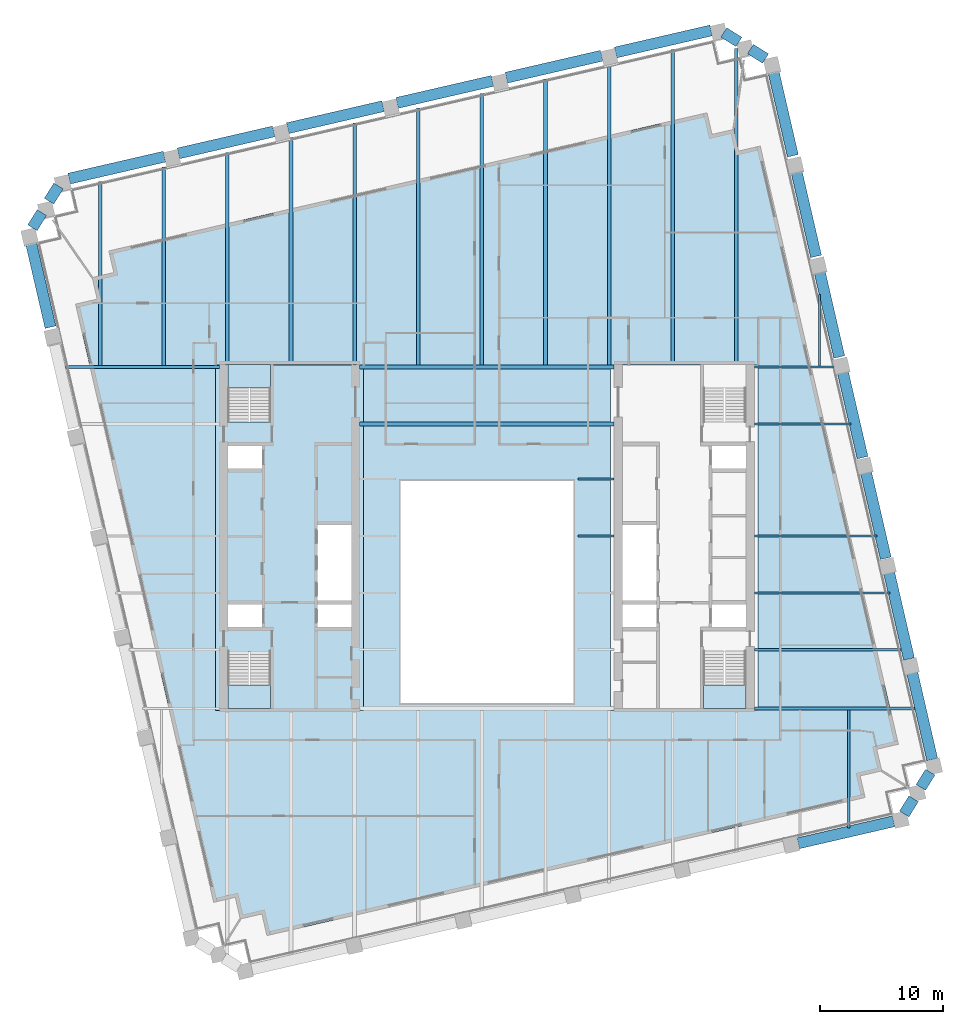
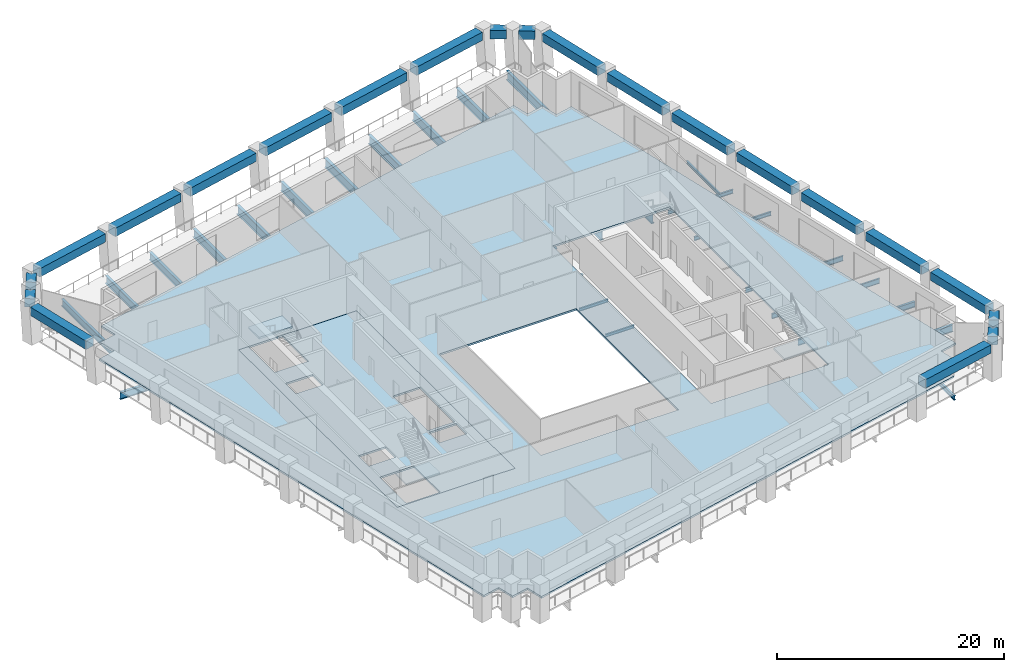
# One storey, part 2 of 11: 45 beams, 5 slabs, 3 elements without a shape of their own.
"""IFC4 building model written with IfcOpenShell, lengths in metres."""

import ifcopenshell
import ifcopenshell.guid

model = None  # the IFC model being written
_history = None  # IfcOwnerHistory: only IFC2X3 demands one
_inside = {}  # id of a spatial element -> (the spatial element, [elements in it])
_under = {}  # id of a project, library or spatial element -> (it, [spatial elements below it])
_declared = {}  # id of a project -> (the project, [libraries it declares])
_typed = {}  # id of a type object -> (the type object, [elements of that type])
_made_of = {}  # id of a material, layer set ... -> (it, [elements and type objects made of it])


def new_model(schema):
    """Start an empty IFC model of exactly this schema.

    Asked for "IFC4X3", IfcOpenShell would pick the latest addendum, in which some entities
    have other attributes; the version numbers below select the first issue.
    IFC2X3 requires an IfcOwnerHistory on every rooted entity: one is made here for all.
    """
    global model, _history
    if schema == "IFC4X3":
        model = ifcopenshell.file(schema_version=(4, 3, 0, 0))
    else:
        model = ifcopenshell.file(schema=schema)
    _inside.clear()
    _under.clear()
    _declared.clear()
    _typed.clear()
    _made_of.clear()
    _history = None
    if model.schema == "IFC2X3":
        org = make("IfcOrganization", Name="unknown")
        user = make(
            "IfcPersonAndOrganization",
            ThePerson=make("IfcPerson", FamilyName="unknown"),
            TheOrganization=org,
        )
        app = make(
            "IfcApplication",
            ApplicationDeveloper=org,
            Version="unknown",
            ApplicationFullName="unknown",
            ApplicationIdentifier="unknown",
        )
        _history = make(
            "IfcOwnerHistory",
            OwningUser=user,
            OwningApplication=app,
            ChangeAction="ADDED",
            CreationDate=0,
        )
    return model


def make(cls, **values):
    """One entity of the class cls with the attributes given. An attribute that is None is left unset."""
    return model.create_entity(
        cls, **{name: value for name, value in values.items() if value is not None}
    )


def rooted(cls, **values):
    """An entity with a GlobalId (a new one), such as an element, a storey or a relation."""
    return make(cls, GlobalId=ifcopenshell.guid.new(), OwnerHistory=_history, **values)


def si_unit(unit_type, name, prefix=None):
    """IfcSIUnit, for example si_unit("LENGTHUNIT", "METRE", prefix="MILLI")."""
    return make("IfcSIUnit", UnitType=unit_type, Prefix=prefix, Name=name)


def assignment(units):
    """IfcUnitAssignment: the units of a project."""
    return None if units is None else make("IfcUnitAssignment", Units=units)


def point(xyz):
    """IfcCartesianPoint."""
    return None if xyz is None else make("IfcCartesianPoint", Coordinates=xyz)


def direction(xyz):
    """IfcDirection."""
    return None if xyz is None else make("IfcDirection", DirectionRatios=xyz)


def frame(location, z_axis=None, x_axis=None):
    """IfcAxis2Placement3D, a coordinate frame: its origin and axes. An axis left out is left unset."""
    return make(
        "IfcAxis2Placement3D",
        Location=point(location),
        Axis=direction(z_axis),
        RefDirection=direction(x_axis),
    )


def frame_2d(location, x_axis=None):
    """IfcAxis2Placement2D, a coordinate frame in the plane: its origin and x axis."""
    return make(
        "IfcAxis2Placement2D", Location=point(location), RefDirection=direction(x_axis)
    )


def origin():
    """The frame at (0, 0, 0) with its axes left unset."""
    return frame((0.0, 0.0, 0.0))


def origin_2d():
    """The frame at (0, 0) in the plane with its x axis left unset."""
    return frame_2d((0.0, 0.0))


def place(relative_to, where):
    """IfcLocalPlacement: puts the frame where relative to a parent placement (None: the world)."""
    return make(
        "IfcLocalPlacement", PlacementRelTo=relative_to, RelativePlacement=where
    )


def context(
    kind, dimensions, precision=None, world=None, true_north=None, identifier=None
):
    """IfcGeometricRepresentationContext, for example the 3D "Model" context."""
    return make(
        "IfcGeometricRepresentationContext",
        ContextIdentifier=identifier,
        ContextType=kind,
        CoordinateSpaceDimension=dimensions,
        Precision=precision,
        WorldCoordinateSystem=world,
        TrueNorth=true_north,
    )


def subcontext(parent, identifier, kind, view, scale=None):
    """IfcGeometricRepresentationSubContext, for example "Body" below "Model"."""
    return make(
        "IfcGeometricRepresentationSubContext",
        ContextIdentifier=identifier,
        ContextType=kind,
        ParentContext=parent,
        TargetScale=scale,
        TargetView=view,
    )


def project(units=None, contexts=None):
    """IfcProject with its units and contexts."""
    return rooted(
        "IfcProject",
        Name="project",
        RepresentationContexts=contexts,
        UnitsInContext=assignment(units),
    )


def spatial(cls, under=None, at=None, **own):
    """A site, building, storey or space (cls), placed at a placement, below another one or the project."""
    s = rooted(cls, ObjectPlacement=at, **own)
    if under is not None:
        _under.setdefault(under.id(), (under, []))[1].append(s)
    return s


def polyline(points):
    """IfcPolyline through the points."""
    return make("IfcPolyline", Points=[point(p) for p in points])


def profile(cls, at=None, kind="AREA", **sizes):
    """A parametric profile (cls). Its sizes go by their IFC names, for example OverallWidth=200.0."""
    return make(cls, ProfileType=kind, Position=at, **sizes)


def rectangle(**sizes):
    """IfcRectangleProfileDef."""
    return profile("IfcRectangleProfileDef", **sizes)


def i_section(**sizes):
    """IfcIShapeProfileDef."""
    return profile("IfcIShapeProfileDef", **sizes)


def outline(outer, holes=None, kind="AREA"):
    """IfcArbitraryClosedProfileDef: a profile drawn as a closed curve; with holes, ...WithVoids."""
    if holes is None:
        return make("IfcArbitraryClosedProfileDef", ProfileType=kind, OuterCurve=outer)
    return make(
        "IfcArbitraryProfileDefWithVoids",
        ProfileType=kind,
        OuterCurve=outer,
        InnerCurves=holes,
    )


def extrude(swept, where, along, depth):
    """IfcExtrudedAreaSolid: the profile swept, set in the frame where, extruded along a direction by depth."""
    return make(
        "IfcExtrudedAreaSolid",
        SweptArea=swept,
        Position=where,
        ExtrudedDirection=direction(along),
        Depth=depth,
    )


def shape(context_of_items, identifier, shape_type, items):
    """IfcShapeRepresentation: the items that make up one representation, for example the "Body"."""
    return make(
        "IfcShapeRepresentation",
        ContextOfItems=context_of_items,
        RepresentationIdentifier=identifier,
        RepresentationType=shape_type,
        Items=items,
    )


def material(Name=None, Category=None):
    """IfcMaterial."""
    return make("IfcMaterial", Name=Name, Category=Category)


def layer(
    of_material, thickness, ventilated=None, Name=None, Category=None, Priority=None
):
    """IfcMaterialLayer: one layer of a wall or slab, of a material (None: an air gap)."""
    return make(
        "IfcMaterialLayer",
        Material=of_material,
        LayerThickness=thickness,
        IsVentilated=ventilated,
        Name=Name,
        Category=Category,
        Priority=Priority,
    )


def layer_set(layers, Name=None):
    """IfcMaterialLayerSet."""
    return make("IfcMaterialLayerSet", MaterialLayers=layers, LayerSetName=Name)


def material_profile(
    of_material, cross_section, Name=None, Category=None, Priority=None
):
    """IfcMaterialProfile: a cross section and its material."""
    return make(
        "IfcMaterialProfile",
        Name=Name,
        Material=of_material,
        Profile=cross_section,
        Priority=Priority,
        Category=Category,
    )


def profile_set(profiles, Name=None, composite=None):
    """IfcMaterialProfileSet."""
    return make(
        "IfcMaterialProfileSet",
        Name=Name,
        MaterialProfiles=profiles,
        CompositeProfile=composite,
    )


def made_of(thing, what):
    """Note that an element or type object is made of a material, layer set ...; save() writes the relation."""
    if what is not None:
        _made_of.setdefault(what.id(), (what, []))[1].append(thing)
    return thing


def type_object(cls, material=None, **own):
    """A type object (cls), such as IfcWallType, which elements share."""
    return made_of(rooted(cls, **own), material)


def element(
    cls,
    number,
    at=None,
    inside=None,
    cuts=None,
    type_object=None,
    material=None,
    context=None,
    identifier="Body",
    shape_type=None,
    held_by="IfcProductDefinitionShape",
    body=None,
    shapes=None,
    **own,
):
    """One element of the class cls, such as IfcWall. Its Tag is "e" and its number.

    at: its placement. inside: the storey or other place that contains it. cuts: it is an
    opening in that element (IfcRelVoidsElement). A single representation is given by context,
    identifier, shape_type and body (its items); several are given by shapes. held_by: the class
    of the entity that holds the representations. save() writes the other relations.
    """
    e = rooted(cls, Tag="e%d" % number, ObjectPlacement=at, **own)
    if body is not None:
        shapes = [shape(context, identifier, shape_type, body)]
    if shapes is not None:
        e.Representation = make(held_by, Representations=shapes)
    if inside is not None:
        _inside.setdefault(inside.id(), (inside, []))[1].append(e)
    if cuts is not None:
        rooted(
            "IfcRelVoidsElement", RelatingBuildingElement=cuts, RelatedOpeningElement=e
        )
    if type_object is not None:
        _typed.setdefault(type_object.id(), (type_object, []))[1].append(e)
    return made_of(e, material)


def aggregate(whole, parts):
    """IfcRelAggregates: a whole, such as a stair, and the parts it consists of."""
    return rooted("IfcRelAggregates", RelatingObject=whole, RelatedObjects=parts)


def save(model, path):
    """Write the relations noted so far, then the file.

    IfcRelAggregates (storeys below a building ...), IfcRelContainedInSpatialStructure (elements
    in a storey), IfcRelDefinesByType, IfcRelAssociatesMaterial and IfcRelDeclares: one each for
    every whole, place, type object, material and project.
    """
    for whole, parts in _under.values():
        aggregate(whole, parts)
    for where, things in _inside.values():
        rooted(
            "IfcRelContainedInSpatialStructure",
            RelatedElements=things,
            RelatingStructure=where,
        )
    for kind, things in _typed.values():
        rooted("IfcRelDefinesByType", RelatedObjects=things, RelatingType=kind)
    for what, things in _made_of.values():
        rooted("IfcRelAssociatesMaterial", RelatedObjects=things, RelatingMaterial=what)
    for by, libraries in _declared.values():
        rooted("IfcRelDeclares", RelatingContext=by, RelatedDefinitions=libraries)
    model.write(path)


model = new_model("IFC4")

# Units and contexts
model_context = context("Model", 3, precision=1e-05, world=origin(), true_north=direction((0.0, 1.0)))
body_context = subcontext(model_context, "Body", "Model", "MODEL_VIEW")
ifc_project = project(units=[si_unit("LENGTHUNIT", "METRE"), si_unit("AREAUNIT", "SQUARE_METRE"), si_unit("VOLUMEUNIT", "CUBIC_METRE"), si_unit("PLANEANGLEUNIT", "RADIAN"), si_unit("MASSUNIT", "GRAM", prefix="KILO")], contexts=[model_context])

# Site, building, storey
site_placement = place(None, origin())
site = spatial("IfcSite", under=ifc_project, at=site_placement, CompositionType="ELEMENT")
building_placement = place(site_placement, origin())
building = spatial("IfcBuilding", under=site, at=building_placement, Name="Ogive Exchange Tower", CompositionType="ELEMENT")
storey_placement = place(building_placement, frame((0.0, 0.0, 209.39990234375)))
storey = spatial("IfcBuildingStorey", under=building, at=storey_placement, Name="L46", CompositionType="ELEMENT", Elevation=209.39990234375)

# Beams
ifc_material_1 = material(Name="Steel ASTM A992 Gr50", Category="steel")
ifc_material_profile_1 = material_profile(ifc_material_1, i_section(OverallWidth=0.300048828125, OverallDepth=0.969970703125, WebThickness=0.01611328125, FlangeThickness=0.02099609375, at=origin_2d()), Name="W1000x222")
ifc_profile_set_1 = profile_set([ifc_material_profile_1], Name="Steel ASTM A992 Gr50")
beam_type_1 = type_object("IfcBeamType", Name="Floor beam W1000x222", PredefinedType="JOIST", material=ifc_profile_set_1)
beam_1_placement = place(storey_placement, frame((-10.735107421875, 25.39990234375, -0.684814453125), z_axis=(0.0, 1.0, 0.0), x_axis=(-1.0, 0.0, 0.0)))
element("IfcBeam", 1, at=beam_1_placement, inside=storey, type_object=beam_type_1, Name="Floor beam", PredefinedType="JOIST", context=body_context, shape_type="SweptSolid", body=[
    extrude(i_section(OverallWidth=0.300048828125, OverallDepth=0.969970703125, WebThickness=0.01611328125, FlangeThickness=0.02099609375, at=origin_2d()), origin(), (0.0, 0.0, 1.0), 19.650146484375),
])
ifc_material_profile_2 = material_profile(ifc_material_1, i_section(OverallWidth=0.300048828125, OverallDepth=0.97998046875, WebThickness=0.0166015625, FlangeThickness=0.026123046875, at=origin_2d()), Name="W1000x249")
ifc_profile_set_2 = profile_set([ifc_material_profile_2], Name="Steel ASTM A992 Gr50")
beam_type_2 = type_object("IfcBeamType", Name="Floor beam W1000x249", PredefinedType="JOIST", material=ifc_profile_set_2)
beam_2_placement = place(storey_placement, frame((-10.320068359375, 20.62255859375, -0.68994140625), z_axis=(1.0, 0.0, 0.0), x_axis=(0.0, 1.0, 0.0)))
element("IfcBeam", 2, at=beam_2_placement, inside=storey, type_object=beam_type_2, Name="Floor beam", PredefinedType="JOIST", context=body_context, shape_type="SweptSolid", body=[
    extrude(i_section(OverallWidth=0.300048828125, OverallDepth=0.97998046875, WebThickness=0.0166015625, FlangeThickness=0.026123046875, at=origin_2d()), origin(), (0.0, 0.0, 1.0), 20.64013671875),
])
beam_3_placement = place(storey_placement, frame((-5.574462890625, 25.39501953125, -0.68994140625), z_axis=(0.0, 1.0, 0.0), x_axis=(-1.0, 0.0, 0.0)))
element("IfcBeam", 3, at=beam_3_placement, inside=storey, type_object=beam_type_2, Name="Floor beam", PredefinedType="JOIST", context=body_context, shape_type="SweptSolid", body=[
    extrude(i_section(OverallWidth=0.300048828125, OverallDepth=0.97998046875, WebThickness=0.0166015625, FlangeThickness=0.026123046875, at=origin_2d()), origin(), (0.0, 0.0, 1.0), 20.846435546875),
])
beam_4_placement = place(storey_placement, frame((-0.4140625, 25.39501953125, -0.68994140625), z_axis=(0.0, 1.0, 0.0), x_axis=(-1.0, 0.0, 0.0)))
element("IfcBeam", 4, at=beam_4_placement, inside=storey, type_object=beam_type_2, Name="Floor beam", PredefinedType="JOIST", context=body_context, shape_type="SweptSolid", body=[
    extrude(i_section(OverallWidth=0.300048828125, OverallDepth=0.97998046875, WebThickness=0.0166015625, FlangeThickness=0.026123046875, at=origin_2d()), origin(), (0.0, 0.0, 1.0), 22.037841796875),
])
beam_5_placement = place(storey_placement, frame((4.74658203125, 25.39501953125, -0.68994140625), z_axis=(0.0, 1.0, 0.0), x_axis=(-1.0, 0.0, 0.0)))
element("IfcBeam", 5, at=beam_5_placement, inside=storey, type_object=beam_type_2, Name="Floor beam", PredefinedType="JOIST", context=body_context, shape_type="SweptSolid", body=[
    extrude(i_section(OverallWidth=0.300048828125, OverallDepth=0.97998046875, WebThickness=0.0166015625, FlangeThickness=0.026123046875, at=origin_2d()), origin(), (0.0, 0.0, 1.0), 23.229248046875),
])
beam_6_placement = place(storey_placement, frame((9.906982421875, 25.39501953125, -0.68994140625), z_axis=(0.0, 1.0, 0.0), x_axis=(-1.0, 0.0, 0.0)))
element("IfcBeam", 6, at=beam_6_placement, inside=storey, type_object=beam_type_2, Name="Floor beam", PredefinedType="JOIST", context=body_context, shape_type="SweptSolid", body=[
    extrude(i_section(OverallWidth=0.300048828125, OverallDepth=0.97998046875, WebThickness=0.0166015625, FlangeThickness=0.026123046875, at=origin_2d()), origin(), (0.0, 0.0, 1.0), 24.420654296875),
])
beam_7_placement = place(storey_placement, frame((15.0673828125, 25.39990234375, -0.68994140625), z_axis=(0.0, 1.0, 0.0), x_axis=(-1.0, 0.0, 0.0)))
element("IfcBeam", 7, at=beam_7_placement, inside=storey, type_object=beam_type_2, Name="Floor beam", PredefinedType="JOIST", context=body_context, shape_type="SweptSolid", body=[
    extrude(i_section(OverallWidth=0.300048828125, OverallDepth=0.97998046875, WebThickness=0.0166015625, FlangeThickness=0.026123046875, at=origin_2d()), origin(), (0.0, 0.0, 1.0), 25.607177734375),
])
beam_8_placement = place(storey_placement, frame((20.22802734375, 25.39990234375, -0.68994140625), z_axis=(0.0, 1.0, 0.0), x_axis=(-1.0, 0.0, 0.0)))
element("IfcBeam", 8, at=beam_8_placement, inside=storey, type_object=beam_type_2, Name="Floor beam", PredefinedType="JOIST", context=body_context, shape_type="SweptSolid", body=[
    extrude(i_section(OverallWidth=0.300048828125, OverallDepth=0.97998046875, WebThickness=0.0166015625, FlangeThickness=0.026123046875, at=origin_2d()), origin(), (0.0, 0.0, 1.0), 25.676025390625),
])
ifc_material_profile_3 = material_profile(ifc_material_1, i_section(OverallWidth=0.1650390625, OverallDepth=0.31005859375, WebThickness=0.005859375, FlangeThickness=0.009765625, at=origin_2d()), Name="W310x38.7")
ifc_profile_set_3 = profile_set([ifc_material_profile_3], Name="Steel ASTM A992 Gr50")
beam_type_3 = type_object("IfcBeamType", Name="Floor beam W310x38.7", PredefinedType="JOIST", material=ifc_profile_set_3)
beam_9_placement = place(storey_placement, frame((7.3701171875, 11.543701171875, -0.35498046875), z_axis=(1.0, 0.0, 0.0), x_axis=(0.0, 1.0, 0.0)))
element("IfcBeam", 9, at=beam_9_placement, inside=storey, type_object=beam_type_3, Name="Floor beam", PredefinedType="JOIST", context=body_context, shape_type="SweptSolid", body=[
    extrude(i_section(OverallWidth=0.1650390625, OverallDepth=0.31005859375, WebThickness=0.005859375, FlangeThickness=0.009765625, at=origin_2d()), origin(), (0.0, 0.0, 1.0), 2.949951171875),
])
beam_10_placement = place(storey_placement, frame((26.988525390625, 25.333984375, -0.35498046875), z_axis=(0.0, 1.0, 0.0), x_axis=(-1.0, 0.0, 0.0)))
element("IfcBeam", 10, at=beam_10_placement, inside=storey, type_object=beam_type_3, Name="Floor beam", PredefinedType="JOIST", context=body_context, shape_type="SweptSolid", body=[
    extrude(i_section(OverallWidth=0.1650390625, OverallDepth=0.31005859375, WebThickness=0.005859375, FlangeThickness=0.009765625, at=origin_2d()), origin(), (0.0, 0.0, 1.0), 5.77880859375),
])
ifc_material_profile_4 = material_profile(ifc_material_1, i_section(OverallWidth=0.177978515625, OverallDepth=0.406005859375, WebThickness=0.0078125, FlangeThickness=0.0126953125, at=origin_2d()), Name="W410x60")
ifc_profile_set_4 = profile_set([ifc_material_profile_4], Name="Steel ASTM A992 Gr50")
beam_type_4 = type_object("IfcBeamType", Name="Floor beam W410x60", PredefinedType="JOIST", material=ifc_profile_set_4)
beam_11_placement = place(storey_placement, frame((21.679931640625, 20.62255859375, -0.40283203125), z_axis=(1.0, 0.0, 0.0), x_axis=(0.0, 1.0, 0.0)))
element("IfcBeam", 11, at=beam_11_placement, inside=storey, type_object=beam_type_4, Name="Floor beam", PredefinedType="JOIST", context=body_context, shape_type="SweptSolid", body=[
    extrude(i_section(OverallWidth=0.177978515625, OverallDepth=0.406005859375, WebThickness=0.0078125, FlangeThickness=0.0126953125, at=origin_2d()), origin(), (0.0, 0.0, 1.0), 7.845703125),
])
ifc_material_profile_5 = material_profile(ifc_material_1, i_section(OverallWidth=0.19091796875, OverallDepth=0.45703125, WebThickness=0.009033203125, FlangeThickness=0.014404296875, at=origin_2d()), Name="W460x74")
ifc_profile_set_5 = profile_set([ifc_material_profile_5], Name="Steel ASTM A992 Gr50")
beam_type_5 = type_object("IfcBeamType", Name="Floor beam W460x74", PredefinedType="JOIST", material=ifc_profile_set_5)
beam_12_placement = place(storey_placement, frame((29.34912109375, -12.125244140625, -0.428466796875), z_axis=(0.0, 1.0, 0.0), x_axis=(-1.0, 0.0, 0.0)))
element("IfcBeam", 12, at=beam_12_placement, inside=storey, type_object=beam_type_5, Name="Floor beam", PredefinedType="JOIST", context=body_context, shape_type="SweptSolid", body=[
    extrude(i_section(OverallWidth=0.19091796875, OverallDepth=0.45703125, WebThickness=0.009033203125, FlangeThickness=0.014404296875, at=origin_2d()), origin(), (0.0, 0.0, 1.0), 9.546630859375),
])
ifc_material_profile_6 = material_profile(ifc_material_1, i_section(OverallWidth=0.1669921875, OverallDepth=0.535888671875, WebThickness=0.01025390625, FlangeThickness=0.0166015625, at=origin_2d()), Name="W530x85")
ifc_profile_set_6 = profile_set([ifc_material_profile_6], Name="Steel ASTM A992 Gr50")
beam_type_6 = type_object("IfcBeamType", Name="Floor beam W530x85", PredefinedType="JOIST", material=ifc_profile_set_6)
beam_13_placement = place(storey_placement, frame((21.679931640625, 6.9326171875, -0.468017578125), z_axis=(1.0, 0.0, 0.0), x_axis=(0.0, 1.0, 0.0)))
element("IfcBeam", 13, at=beam_13_placement, inside=storey, type_object=beam_type_6, Name="Floor beam", PredefinedType="JOIST", context=body_context, shape_type="SweptSolid", body=[
    extrude(i_section(OverallWidth=0.1669921875, OverallDepth=0.535888671875, WebThickness=0.01025390625, FlangeThickness=0.0166015625, at=origin_2d()), origin(), (0.0, 0.0, 1.0), 11.00634765625),
])
beam_14_placement = place(storey_placement, frame((21.679931640625, 11.543701171875, -0.468017578125), z_axis=(1.0, 0.0, 0.0), x_axis=(0.0, 1.0, 0.0)))
element("IfcBeam", 14, at=beam_14_placement, inside=storey, type_object=beam_type_6, Name="Floor beam", PredefinedType="JOIST", context=body_context, shape_type="SweptSolid", body=[
    extrude(i_section(OverallWidth=0.1669921875, OverallDepth=0.535888671875, WebThickness=0.01025390625, FlangeThickness=0.0166015625, at=origin_2d()), origin(), (0.0, 0.0, 1.0), 9.941650390625),
])
ifc_material_profile_7 = material_profile(ifc_material_1, i_section(OverallWidth=0.22802734375, OverallDepth=0.60205078125, WebThickness=0.010498046875, FlangeThickness=0.014892578125, at=origin_2d()), Name="W610x101")
ifc_profile_set_7 = profile_set([ifc_material_profile_7], Name="Steel ASTM A992 Gr50")
beam_type_7 = type_object("IfcBeamType", Name="Floor beam W610x101", PredefinedType="JOIST", material=ifc_profile_set_7)
beam_15_placement = place(storey_placement, frame((21.679931640625, 2.3212890625, -0.5009765625), z_axis=(1.0, 0.0, 0.0), x_axis=(0.0, 1.0, 0.0)))
element("IfcBeam", 15, at=beam_15_placement, inside=storey, type_object=beam_type_7, Name="Floor beam", PredefinedType="JOIST", context=body_context, shape_type="SweptSolid", body=[
    extrude(i_section(OverallWidth=0.22802734375, OverallDepth=0.60205078125, WebThickness=0.010498046875, FlangeThickness=0.014892578125, at=origin_2d()), origin(), (0.0, 0.0, 1.0), 11.9208984375),
])
ifc_material_profile_8 = material_profile(ifc_material_1, i_section(OverallWidth=0.26708984375, OverallDepth=0.75390625, WebThickness=0.01318359375, FlangeThickness=0.01708984375, at=origin_2d()), Name="W760x147")
ifc_profile_set_8 = profile_set([ifc_material_profile_8], Name="Steel ASTM A992 Gr50")
beam_type_8 = type_object("IfcBeamType", Name="Floor beam W760x147", PredefinedType="JOIST", material=ifc_profile_set_8)
beam_16_placement = place(storey_placement, frame((-31.376953125, 25.37841796875, -0.576904296875), z_axis=(0.0, 1.0, 0.0), x_axis=(-1.0, 0.0, 0.0)))
element("IfcBeam", 16, at=beam_16_placement, inside=storey, type_object=beam_type_8, Name="Floor beam", PredefinedType="JOIST", context=body_context, shape_type="SweptSolid", body=[
    extrude(i_section(OverallWidth=0.26708984375, OverallDepth=0.75390625, WebThickness=0.01318359375, FlangeThickness=0.01708984375, at=origin_2d()), origin(), (0.0, 0.0, 1.0), 14.906005859375),
])
ifc_material_profile_9 = material_profile(ifc_material_1, i_section(OverallWidth=0.2919921875, OverallDepth=0.8359375, WebThickness=0.013916015625, FlangeThickness=0.018798828125, at=origin_2d()), Name="W840x176")
ifc_profile_set_9 = profile_set([ifc_material_profile_9], Name="Steel ASTM A992 Gr50")
beam_type_9 = type_object("IfcBeamType", Name="Floor beam W840x176", PredefinedType="JOIST", material=ifc_profile_set_9)
beam_17_placement = place(storey_placement, frame((-26.216552734375, 25.37841796875, -0.617919921875), z_axis=(0.0, 1.0, 0.0), x_axis=(-1.0, 0.0, 0.0)))
element("IfcBeam", 17, at=beam_17_placement, inside=storey, type_object=beam_type_9, Name="Floor beam", PredefinedType="JOIST", context=body_context, shape_type="SweptSolid", body=[
    extrude(i_section(OverallWidth=0.2919921875, OverallDepth=0.8359375, WebThickness=0.013916015625, FlangeThickness=0.018798828125, at=origin_2d()), origin(), (0.0, 0.0, 1.0), 16.097412109375),
])
beam_18_placement = place(storey_placement, frame((-21.055908203125, 25.39990234375, -0.617919921875), z_axis=(0.0, 1.0, 0.0), x_axis=(-1.0, 0.0, 0.0)))
element("IfcBeam", 18, at=beam_18_placement, inside=storey, type_object=beam_type_9, Name="Floor beam", PredefinedType="JOIST", context=body_context, shape_type="SweptSolid", body=[
    extrude(i_section(OverallWidth=0.2919921875, OverallDepth=0.8359375, WebThickness=0.013916015625, FlangeThickness=0.018798828125, at=origin_2d()), origin(), (0.0, 0.0, 1.0), 17.267333984375),
])
ifc_material_profile_10 = material_profile(ifc_material_1, i_section(OverallWidth=0.304931640625, OverallDepth=0.904052734375, WebThickness=0.01513671875, FlangeThickness=0.02001953125, at=origin_2d()), Name="W920x201")
ifc_profile_set_10 = profile_set([ifc_material_profile_10], Name="Steel ASTM A992 Gr50")
beam_type_10 = type_object("IfcBeamType", Name="Floor beam W920x201", PredefinedType="JOIST", material=ifc_profile_set_10)
beam_19_placement = place(storey_placement, frame((-15.8955078125, 25.39990234375, -0.65185546875), z_axis=(0.0, 1.0, 0.0), x_axis=(-1.0, 0.0, 0.0)))
element("IfcBeam", 19, at=beam_19_placement, inside=storey, type_object=beam_type_10, Name="Floor beam", PredefinedType="JOIST", context=body_context, shape_type="SweptSolid", body=[
    extrude(i_section(OverallWidth=0.304931640625, OverallDepth=0.904052734375, WebThickness=0.01513671875, FlangeThickness=0.02001953125, at=origin_2d()), origin(), (0.0, 0.0, 1.0), 18.458740234375),
])
ifc_material_profile_11 = material_profile(ifc_material_1, i_section(OverallWidth=0.300048828125, OverallDepth=0.97998046875, WebThickness=0.0166015625, FlangeThickness=0.026123046875, at=origin_2d()), Name="W1000x249")
ifc_profile_set_11 = profile_set([ifc_material_profile_11], Name="Steel ASTM A992 Gr50")
beam_type_11 = type_object("IfcBeamType", Name="Girder W1000x249", PredefinedType="BEAM", material=ifc_profile_set_11)
beam_20_placement = place(storey_placement, frame((-10.320068359375, 25.2451171875, -0.68994140625), z_axis=(1.0, 0.0, 0.0), x_axis=(0.0, 1.0, 0.0)))
element("IfcBeam", 20, at=beam_20_placement, inside=storey, type_object=beam_type_11, Name="Header girder", PredefinedType="BEAM", context=body_context, shape_type="SweptSolid", body=[
    extrude(i_section(OverallWidth=0.300048828125, OverallDepth=0.97998046875, WebThickness=0.0166015625, FlangeThickness=0.026123046875, at=origin_2d()), origin(), (0.0, 0.0, 1.0), 20.64013671875),
])
ifc_material_profile_12 = material_profile(ifc_material_1, i_section(OverallWidth=0.1650390625, OverallDepth=0.31005859375, WebThickness=0.005859375, FlangeThickness=0.009765625, at=origin_2d()), Name="W310x38.7")
ifc_profile_set_12 = profile_set([ifc_material_profile_12], Name="Steel ASTM A992 Gr50")
beam_type_12 = type_object("IfcBeamType", Name="Girder W310x38.7", PredefinedType="BEAM", material=ifc_profile_set_12)
beam_21_placement = place(storey_placement, frame((7.3701171875, 16.155029296875, -0.35498046875), z_axis=(1.0, 0.0, 0.0), x_axis=(0.0, 1.0, 0.0)))
element("IfcBeam", 21, at=beam_21_placement, inside=storey, type_object=beam_type_12, Name="Trimmer girder", PredefinedType="BEAM", context=body_context, shape_type="SweptSolid", body=[
    extrude(i_section(OverallWidth=0.1650390625, OverallDepth=0.31005859375, WebThickness=0.005859375, FlangeThickness=0.009765625, at=origin_2d()), origin(), (0.0, 0.0, 1.0), 2.949951171875),
])
ifc_material_profile_13 = material_profile(ifc_material_1, i_section(OverallWidth=0.177978515625, OverallDepth=0.406005859375, WebThickness=0.0078125, FlangeThickness=0.0126953125, at=origin_2d()), Name="W410x60")
ifc_profile_set_13 = profile_set([ifc_material_profile_13], Name="Steel ASTM A992 Gr50")
beam_type_13 = type_object("IfcBeamType", Name="Girder W410x60", PredefinedType="BEAM", material=ifc_profile_set_13)
beam_22_placement = place(storey_placement, frame((21.679931640625, 25.2451171875, -0.40283203125), z_axis=(1.0, 0.0, 0.0), x_axis=(0.0, 1.0, 0.0)))
element("IfcBeam", 22, at=beam_22_placement, inside=storey, type_object=beam_type_13, Name="Header girder", PredefinedType="BEAM", context=body_context, shape_type="SweptSolid", body=[
    extrude(i_section(OverallWidth=0.177978515625, OverallDepth=0.406005859375, WebThickness=0.0078125, FlangeThickness=0.0126953125, at=origin_2d()), origin(), (0.0, 0.0, 1.0), 6.628662109375),
])
ifc_material_profile_14 = material_profile(ifc_material_1, i_section(OverallWidth=0.26708984375, OverallDepth=0.75390625, WebThickness=0.01318359375, FlangeThickness=0.01708984375, at=origin_2d()), Name="W760x147")
ifc_profile_set_14 = profile_set([ifc_material_profile_14], Name="Steel ASTM A992 Gr50")
beam_type_14 = type_object("IfcBeamType", Name="Girder W760x147", PredefinedType="BEAM", material=ifc_profile_set_14)
beam_23_placement = place(storey_placement, frame((21.679931640625, -2.445068359375, -0.576904296875), z_axis=(1.0, 0.0, 0.0), x_axis=(0.0, 1.0, 0.0)))
element("IfcBeam", 23, at=beam_23_placement, inside=storey, type_object=beam_type_14, Name="Header girder", PredefinedType="BEAM", context=body_context, shape_type="SweptSolid", body=[
    extrude(i_section(OverallWidth=0.26708984375, OverallDepth=0.75390625, WebThickness=0.01318359375, FlangeThickness=0.01708984375, at=origin_2d()), origin(), (0.0, 0.0, 1.0), 13.021484375),
])
beam_24_placement = place(storey_placement, frame((-34.193359375, 25.2451171875, -0.576904296875), z_axis=(1.0, 0.0, 0.0), x_axis=(0.0, 1.0, 0.0)))
element("IfcBeam", 24, at=beam_24_placement, inside=storey, type_object=beam_type_14, Name="Header girder", PredefinedType="BEAM", context=body_context, shape_type="SweptSolid", body=[
    extrude(i_section(OverallWidth=0.26708984375, OverallDepth=0.75390625, WebThickness=0.01318359375, FlangeThickness=0.01708984375, at=origin_2d()), origin(), (0.0, 0.0, 1.0), 12.513427734375),
])
ifc_material_2 = material(Name="Precast concrete C70/85 (limestone faced)", Category="masonry")
ifc_material_profile_15 = material_profile(ifc_material_2, rectangle(XDim=0.89990234375, YDim=0.89990234375, at=origin_2d()), Name="900 x 900")
ifc_profile_set_15 = profile_set([ifc_material_profile_15], Name="Precast concrete C70/85 (limestone faced)")
beam_type_15 = type_object("IfcBeamType", Name="Precast spandrel 900 x 900 C70/85", PredefinedType="SPANDREL", material=ifc_profile_set_15)
beam_25_placement = place(storey_placement, frame((25.249755859375, -13.383544921875, 3.5), z_axis=(0.974368388194, 0.224958316335, 0.0), x_axis=(-0.224958316335, 0.974368388194, 0.0)))
element("IfcBeam", 25, at=beam_25_placement, inside=storey, type_object=beam_type_15, Name="Spandrel 6", PredefinedType="SPANDREL", context=body_context, shape_type="SweptSolid", body=[
    extrude(rectangle(XDim=0.89990234375, YDim=0.89990234375, at=origin_2d()), origin(), (0.0, 0.0, 1.0), 7.93994140625),
])
for number, where, z_axis, x_axis, name in (
    (26, (33.842041015625, -11.001708984375, 3.5), (0.529877740036, 0.848074041941, 0.0), (-0.848074041941, 0.529877740036, 0.0), "Spandrel 7"),
    (27, (35.19091796875, -8.843017578125, 3.5), (0.529877740036, 0.848074041941, 0.0), (-0.848074041941, 0.529877740036, 0.0), "Spandrel 8"),
):
    element("IfcBeam", number, at=place(storey_placement, frame(where, z_axis=z_axis, x_axis=x_axis)), inside=storey, type_object=beam_type_15, Name=name, PredefinedType="SPANDREL", context=body_context, shape_type="SweptSolid", body=[
        extrude(rectangle(XDim=0.89990234375, YDim=0.89990234375, at=origin_2d()), origin(), (0.0, 0.0, 1.0), 1.448486328125),
    ])
for number, where, z_axis, x_axis, name in (
    (28, (36.11865234375, -6.584228515625, 3.5), (-0.224950928933, 0.974370093739, 0.0), (-0.974370093739, -0.224950928933, 0.0), "Spandrel 9"),
    (29, (34.234619140625, 1.577392578125, 3.5), (-0.224983048848, 0.974362677719, 0.0), (-0.974362677719, -0.224983048848, 0.0), "Spandrel 10"),
    (30, (32.35009765625, 9.739013671875, 3.5), (-0.224950928933, 0.974370093739, 0.0), (-0.974370093739, -0.224950928933, 0.0), "Spandrel 11"),
    (31, (30.466064453125, 17.900390625, 3.5), (-0.224950928933, 0.974370093739, 0.0), (-0.974370093739, -0.224950928933, 0.0), "Spandrel 12"),
    (32, (28.581787109375, 26.06201171875, 3.5), (-0.224950928933, 0.974370093739, 0.0), (-0.974370093739, -0.224950928933, 0.0), "Spandrel 13"),
    (33, (26.697509765625, 34.2236328125, 3.5), (-0.224950928933, 0.974370093739, 0.0), (-0.974370093739, -0.224950928933, 0.0), "Spandrel 14"),
):
    element("IfcBeam", number, at=place(storey_placement, frame(where, z_axis=z_axis, x_axis=x_axis)), inside=storey, type_object=beam_type_15, Name=name, PredefinedType="SPANDREL", context=body_context, shape_type="SweptSolid", body=[
        extrude(rectangle(XDim=0.89990234375, YDim=0.89990234375, at=origin_2d()), origin(), (0.0, 0.0, 1.0), 7.21630859375),
    ])
beam_26_placement = place(storey_placement, frame((24.813232421875, 42.385009765625, 3.5), z_axis=(-0.224943513624, 0.974371805667, 0.0), x_axis=(-0.974371805667, -0.224943513624, 0.0)))
element("IfcBeam", 34, at=beam_26_placement, inside=storey, type_object=beam_type_15, Name="Spandrel 15", PredefinedType="SPANDREL", context=body_context, shape_type="SweptSolid", body=[
    extrude(rectangle(XDim=0.89990234375, YDim=0.89990234375, at=origin_2d()), origin(), (0.0, 0.0, 1.0), 7.216552734375),
])
beam_27_placement = place(storey_placement, frame((22.59423828125, 50.272216796875, 3.5), z_axis=(-0.848026711821, 0.529953484787, 0.0), x_axis=(-0.529953484787, -0.848026711821, 0.0)))
element("IfcBeam", 35, at=beam_27_placement, inside=storey, type_object=beam_type_15, Name="Spandrel 16", PredefinedType="SPANDREL", context=body_context, shape_type="SweptSolid", body=[
    extrude(rectangle(XDim=0.89990234375, YDim=0.89990234375, at=origin_2d()), origin(), (0.0, 0.0, 1.0), 1.448486328125),
])
beam_28_placement = place(storey_placement, frame((20.435546875, 51.62109375, 3.5), z_axis=(-0.847998304005, 0.529998940003, 0.0), x_axis=(-0.529998940003, -0.847998304005, 0.0)))
element("IfcBeam", 36, at=beam_28_placement, inside=storey, type_object=beam_type_15, Name="Spandrel 17", PredefinedType="SPANDREL", context=body_context, shape_type="SweptSolid", body=[
    extrude(rectangle(XDim=0.89990234375, YDim=0.89990234375, at=origin_2d()), origin(), (0.0, 0.0, 1.0), 1.44873046875),
])
for number, where, z_axis, x_axis, name in (
    (37, (18.1767578125, 52.549072265625, 3.5), (-0.974363204306, -0.224980768276, 0.0), (0.224980768276, -0.974363204306, 0.0), "Spandrel 18"),
    (38, (9.31005859375, 50.501953125, 3.5), (-0.974369944206, -0.224951576629, 0.0), (0.224951576629, -0.974369944206, 0.0), "Spandrel 19"),
    (39, (0.443359375, 48.454833984375, 3.5), (-0.974369944206, -0.224951576629, 0.0), (0.224951576629, -0.974369944206, 0.0), "Spandrel 20"),
):
    element("IfcBeam", number, at=place(storey_placement, frame(where, z_axis=z_axis, x_axis=x_axis)), inside=storey, type_object=beam_type_15, Name=name, PredefinedType="SPANDREL", context=body_context, shape_type="SweptSolid", body=[
        extrude(rectangle(XDim=0.89990234375, YDim=0.89990234375, at=origin_2d()), origin(), (0.0, 0.0, 1.0), 7.940185546875),
    ])
for number, where, z_axis, x_axis, name in (
    (40, (-8.423583984375, 46.40771484375, 3.5), (-0.974368388194, -0.224958316335, 0.0), (0.224958316335, -0.974368388194, 0.0), "Spandrel 21"),
    (41, (-17.290283203125, 44.360595703125, 3.5), (-0.974376683324, -0.224922384377, 0.0), (0.224922384377, -0.974376683324, 0.0), "Spandrel 22"),
):
    element("IfcBeam", number, at=place(storey_placement, frame(where, z_axis=z_axis, x_axis=x_axis)), inside=storey, type_object=beam_type_15, Name=name, PredefinedType="SPANDREL", context=body_context, shape_type="SweptSolid", body=[
        extrude(rectangle(XDim=0.89990234375, YDim=0.89990234375, at=origin_2d()), origin(), (0.0, 0.0, 1.0), 7.93994140625),
    ])
beam_29_placement = place(storey_placement, frame((-26.156982421875, 42.313720703125, 3.5), z_axis=(-0.974369944206, -0.224951576629, 0.0), x_axis=(0.224951576629, -0.974369944206, 0.0)))
element("IfcBeam", 42, at=beam_29_placement, inside=storey, type_object=beam_type_15, Name="Spandrel 23", PredefinedType="SPANDREL", context=body_context, shape_type="SweptSolid", body=[
    extrude(rectangle(XDim=0.89990234375, YDim=0.89990234375, at=origin_2d()), origin(), (0.0, 0.0, 1.0), 7.940185546875),
])
for number, where, z_axis, x_axis, name in (
    (43, (-34.749267578125, 39.931884765625, 3.5), (-0.529953484787, -0.848026711821, 0.0), (0.848026711821, -0.529953484787, 0.0), "Spandrel 24"),
    (44, (-36.098388671875, 37.773193359375, 3.5), (-0.529877740036, -0.848074041941, 0.0), (0.848074041941, -0.529877740036, 0.0), "Spandrel 25"),
):
    element("IfcBeam", number, at=place(storey_placement, frame(where, z_axis=z_axis, x_axis=x_axis)), inside=storey, type_object=beam_type_15, Name=name, PredefinedType="SPANDREL", context=body_context, shape_type="SweptSolid", body=[
        extrude(rectangle(XDim=0.89990234375, YDim=0.89990234375, at=origin_2d()), origin(), (0.0, 0.0, 1.0), 1.448486328125),
    ])
beam_30_placement = place(storey_placement, frame((-37.026123046875, 35.514404296875, 3.5), z_axis=(0.224950928933, -0.974370093739, 0.0), x_axis=(0.974370093739, 0.224950928933, 0.0)))
element("IfcBeam", 45, at=beam_30_placement, inside=storey, type_object=beam_type_15, Name="Spandrel 26", PredefinedType="SPANDREL", context=body_context, shape_type="SweptSolid", body=[
    extrude(rectangle(XDim=0.89990234375, YDim=0.89990234375, at=origin_2d()), origin(), (0.0, 0.0, 1.0), 7.21630859375),
])

# Slabs
ifc_material_3 = material(Name="Concrete C50/60", Category="concrete")
ifc_layer_1 = layer(ifc_material_3, 0.199951171875)
ifc_layer_set_1 = layer_set([ifc_layer_1], Name="Composite floor slab 200")
slab_type_1 = type_object("IfcSlabType", Name="Composite floor slab 200", PredefinedType="FLOOR", material=ifc_layer_set_1)
slab_1_placement = place(storey_placement, frame((0.0, 0.0, -0.199951171875)))
element("IfcSlab", 46, at=slab_1_placement, inside=storey, type_object=slab_type_1, Name="Composite floor slab", PredefinedType="FLOOR", context=body_context, shape_type="SweptSolid", body=[
    extrude(outline(polyline([(-18.255615234375, -19.116943359375), (-20.009521484375, -19.52197265625), (-20.414306640625, -17.76806640625), (-22.168212890625, -18.1728515625), (-33.370849609375, 30.3505859375), (-31.616943359375, 30.755615234375), (-32.02197265625, 32.509521484375), (-30.26806640625, 32.914306640625), (-30.6728515625, 34.668212890625), (17.8505859375, 45.870849609375), (18.255615234375, 44.116943359375), (20.009521484375, 44.52197265625), (20.414306640625, 42.76806640625), (22.168212890625, 43.1728515625), (33.370849609375, -5.3505859375), (31.616943359375, -5.755615234375), (32.02197265625, -7.509521484375), (30.26806640625, -7.914306640625), (30.6728515625, -9.668212890625), (-17.8505859375, -20.870849609375), (-18.255615234375, -19.116943359375)]), holes=[polyline([(7.0, -2.0), (7.0, 16.0), (-7.0, 16.0), (-7.0, -2.0), (7.0, -2.0)]), polyline([(-22.0, -2.60009765625), (-10.0, -2.60009765625), (-10.0, 25.39990234375), (-22.0, 25.39990234375), (-22.0, -2.60009765625)]), polyline([(10.0, -2.60009765625), (22.0, -2.60009765625), (22.0, 25.39990234375), (10.0, 25.39990234375), (10.0, -2.60009765625)])]), origin(), (0.0, 0.0, 1.0), 0.199951171875),
])
ifc_material_4 = material(Name="Concrete C70/85", Category="concrete")
ifc_layer_2 = layer(ifc_material_4, 0.199951171875)
ifc_layer_set_2 = layer_set([ifc_layer_2], Name="Core floor slab 200")
slab_type_2 = type_object("IfcSlabType", Name="Core floor slab 200", PredefinedType="FLOOR", material=ifc_layer_set_2)
slab_2_placement = place(storey_placement, frame((0.0, 0.0, -0.199951171875)))
element("IfcSlab", 47, at=slab_2_placement, inside=storey, type_object=slab_type_2, Name="Core floor slab", PredefinedType="FLOOR", context=body_context, shape_type="SweptSolid", body=[
    extrude(outline(polyline([(-10.0, 25.39990234375), (-10.0, -2.60009765625), (-22.0, -2.60009765625), (-22.0, 25.39990234375), (-21.0, 25.39990234375), (-21.0, 20.803955078125), (-17.550048828125, 20.803955078125), (-17.550048828125, 25.39990234375), (-10.0, 25.39990234375)]), holes=[polyline([(-17.550048828125, 2.196044921875), (-21.0, 2.196044921875), (-21.0, -2.449951171875), (-17.550048828125, -2.449951171875), (-17.550048828125, 2.196044921875)]), polyline([(-18.25, 5.992919921875), (-21.0, 5.992919921875), (-21.0, 4.14990234375), (-18.25, 4.14990234375), (-18.25, 5.992919921875)]), polyline([(-11.0, 5.992919921875), (-13.75, 5.992919921875), (-13.75, 4.14990234375), (-11.0, 4.14990234375), (-11.0, 5.992919921875)]), polyline([(-13.75, 12.42138671875), (-13.75, 6.29296875), (-11.0, 6.29296875), (-11.0, 12.42138671875), (-13.75, 12.42138671875)]), polyline([(-18.25, 18.85009765625), (-21.0, 18.85009765625), (-21.0, 17.007080078125), (-18.25, 17.007080078125), (-18.25, 18.85009765625)])]), origin(), (0.0, 0.0, 1.0), 0.199951171875),
])

# Stair, slab
ifc_material_5 = material(Name="Concrete C40/50", Category="concrete")
stair_type = type_object("IfcStairType", Name="Exit stair 1650 wide", PredefinedType="HALF_TURN_STAIR", material=ifc_material_5)
stair_1_placement = place(storey_placement, origin())
stair_1 = element("IfcStair", 48, at=stair_1_placement, inside=storey, type_object=stair_type, Name="L46 exit stair ST1", PredefinedType="HALF_TURN_STAIR")
ifc_layer_3 = layer(ifc_material_5, 0.199951171875)
ifc_layer_set_3 = layer_set([ifc_layer_3], Name="Stair landing 200 slab")
slab_type_3 = type_object("IfcSlabType", Name="Stair landing 200 slab", PredefinedType="LANDING", material=ifc_layer_set_3)
slab_3_placement = place(storey_placement, frame((0.0, 0.0, 1.900146484375)))
slab_3 = element("IfcSlab", 49, at=slab_3_placement, type_object=slab_type_3, Name="ST1 landing 1", PredefinedType="LANDING", context=body_context, shape_type="SweptSolid", body=[
    extrude(outline(polyline([(-21.0, -0.550048828125), (-21.0, -2.449951171875), (-17.550048828125, -2.449951171875), (-17.550048828125, -0.550048828125), (-21.0, -0.550048828125)])), origin(), (0.0, 0.0, 1.0), 0.199951171875),
])
aggregate(stair_1, [slab_3])

stair_2_placement = place(storey_placement, origin())
stair_2 = element("IfcStair", 50, at=stair_2_placement, inside=storey, type_object=stair_type, Name="L46 exit stair ST2", PredefinedType="HALF_TURN_STAIR")
slab_4_placement = place(storey_placement, frame((0.0, 0.0, 1.900146484375)))
slab_4 = element("IfcSlab", 51, at=slab_4_placement, type_object=slab_type_3, Name="ST2 landing 1", PredefinedType="LANDING", context=body_context, shape_type="SweptSolid", body=[
    extrude(outline(polyline([(-17.550048828125, 23.550048828125), (-17.550048828125, 25.449951171875), (-21.0, 25.449951171875), (-21.0, 23.550048828125), (-17.550048828125, 23.550048828125)])), origin(), (0.0, 0.0, 1.0), 0.199951171875),
])
aggregate(stair_2, [slab_4])

stair_3_placement = place(storey_placement, origin())
stair_3 = element("IfcStair", 52, at=stair_3_placement, inside=storey, type_object=stair_type, Name="L46 exit stair ST3", PredefinedType="HALF_TURN_STAIR")
slab_5_placement = place(storey_placement, frame((0.0, 0.0, 1.900146484375)))
slab_5 = element("IfcSlab", 53, at=slab_5_placement, type_object=slab_type_3, Name="ST3 landing 1", PredefinedType="LANDING", context=body_context, shape_type="SweptSolid", body=[
    extrude(outline(polyline([(17.550048828125, -0.550048828125), (17.550048828125, -2.449951171875), (21.0, -2.449951171875), (21.0, -0.550048828125), (17.550048828125, -0.550048828125)])), origin(), (0.0, 0.0, 1.0), 0.199951171875),
])
aggregate(stair_3, [slab_5])

save(model, "model.ifc")
